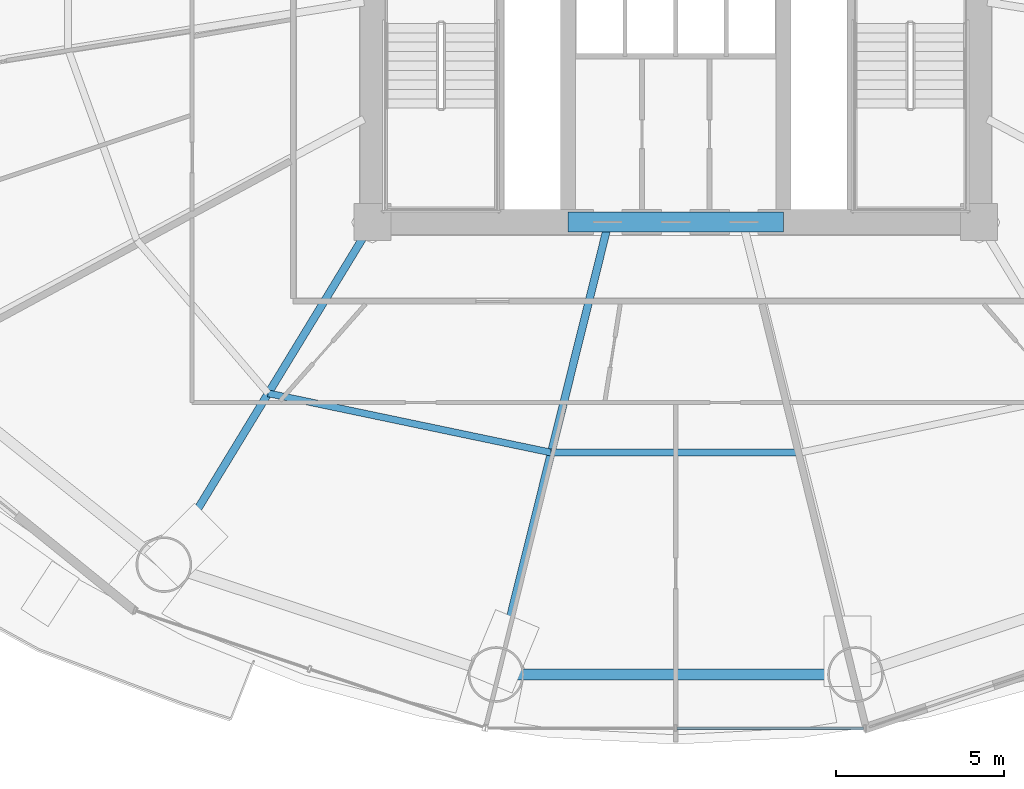
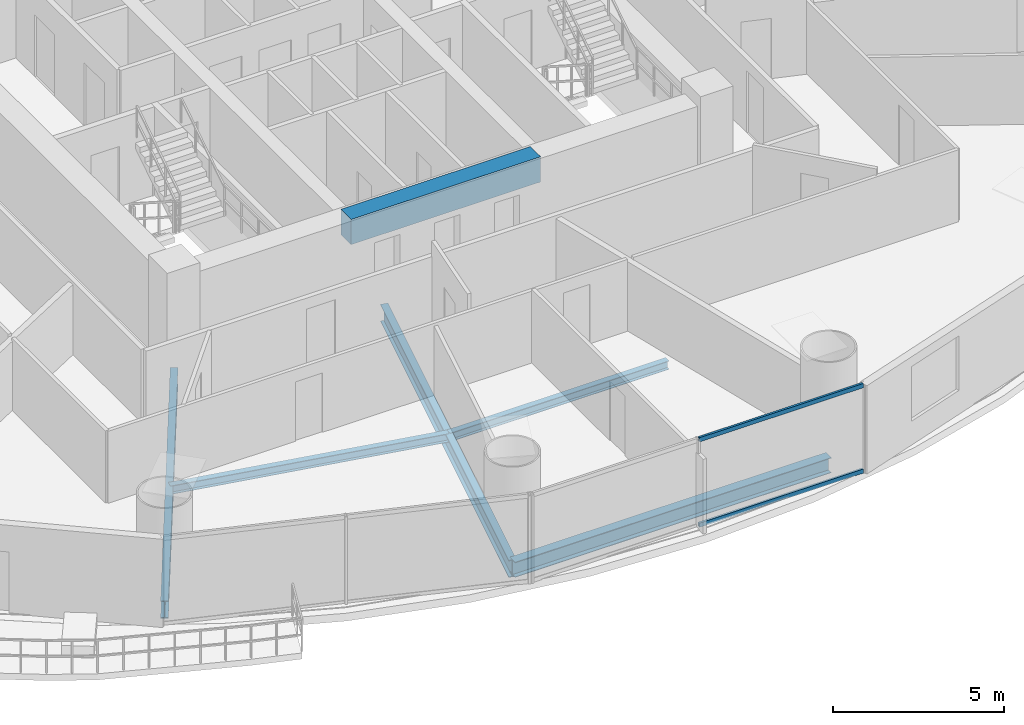
# One storey, part 5 of 29: 6 beams, 2 members, 1 element without a shape of its own.
"""IFC4 building model written with IfcOpenShell, lengths in metres."""

from ifc_helpers import new_model, si_unit, direction, frame, origin, origin_2d, place, context, subcontext, project, spatial, rectangle, hollow_rectangle, i_section, extrude, source, transform, mapped, material, material_profile, profile_set, type_object, element, aggregate, save


model = new_model("IFC4")

# Units and contexts
model_context = context("Model", 3, precision=1e-05, world=origin(), true_north=direction((-0.2419218956, 0.970295726276)))
body_context = subcontext(model_context, "Body", "Model", "MODEL_VIEW")
ifc_project = project(units=[si_unit("LENGTHUNIT", "METRE"), si_unit("AREAUNIT", "SQUARE_METRE"), si_unit("VOLUMEUNIT", "CUBIC_METRE"), si_unit("PLANEANGLEUNIT", "RADIAN"), si_unit("MASSUNIT", "GRAM", prefix="KILO")], contexts=[model_context])

# Site, building, storey
site_placement = place(None, origin())
site = spatial("IfcSite", under=ifc_project, at=site_placement, CompositionType="ELEMENT")
building_placement = place(site_placement, origin())
building = spatial("IfcBuilding", under=site, at=building_placement, Name="Cobrevalo Terracotta Tower", CompositionType="ELEMENT")
storey_placement = place(building_placement, frame((0.0, 0.0, 70.800048828125)))
storey = spatial("IfcBuildingStorey", under=building, at=storey_placement, Name="L18", CompositionType="ELEMENT", Elevation=70.800048828125)

# Beams
ifc_material_1 = material(Name="Concrete C60", Category="concrete")
ifc_material_profile_1 = material_profile(ifc_material_1, rectangle(XDim=0.60009765625, YDim=0.89990234375, at=origin_2d()), Name="RC CB 600x900")
ifc_profile_set_1 = profile_set([ifc_material_profile_1], Name="Concrete C60")
beam_type_1 = type_object("IfcBeamType", Name="Structural Beam RC CB 600x900 (Concrete C60)", PredefinedType="BEAM", material=ifc_profile_set_1)
beam_1_placement = place(storey_placement, frame((34.800048828125, 18.800048828125, 2.699951171875), z_axis=(1.0, 0.0, 0.0), x_axis=(0.0, 1.0, 0.0)))
element("IfcBeam", 1, at=beam_1_placement, inside=storey, type_object=beam_type_1, Name="L18 core coupling beam 1", PredefinedType="BEAM", context=body_context, shape_type="SweptSolid", body=[
    extrude(rectangle(XDim=0.60009765625, YDim=0.89990234375, at=origin_2d()), origin(), (0.0, 0.0, 1.0), 6.39990234375),
])
ifc_material_2 = material(Name="Steel S355", Category="steel")
ifc_material_profile_2 = material_profile(ifc_material_2, i_section(OverallWidth=0.22998046875, OverallDepth=0.616943359375, WebThickness=0.01318359375, FlangeThickness=0.022216796875, at=origin_2d()), Name="W 610x140")
ifc_profile_set_2 = profile_set([ifc_material_profile_2], Name="Steel S355")
beam_type_2 = type_object("IfcBeamType", Name="Structural Beam W 610x140 (Steel S355)", PredefinedType="BEAM", material=ifc_profile_set_2)
beam_2_placement = place(storey_placement, frame((22.80517578125, 8.63232421875, -0.588623046875), z_axis=(0.520300780853, 0.853983077961, 0.0), x_axis=(-0.853983077961, 0.520300780853, 0.0)))
element("IfcBeam", 2, at=beam_2_placement, inside=storey, type_object=beam_type_2, Name="L18 radial floor girder 11", PredefinedType="BEAM", context=body_context, shape_type="SweptSolid", body=[
    extrude(i_section(OverallWidth=0.22998046875, OverallDepth=0.616943359375, WebThickness=0.01318359375, FlangeThickness=0.022216796875, at=origin_2d()), origin(), (0.0, 0.0, 1.0), 11.90625),
])
beam_3_placement = place(storey_placement, frame((32.664306640625, 5.369873046875, -0.588623046875), z_axis=(0.241600470374, 0.970375810042, 0.0), x_axis=(-0.970375810042, 0.241600470374, 0.0)))
element("IfcBeam", 3, at=beam_3_placement, inside=storey, type_object=beam_type_2, Name="L18 radial floor girder 12", PredefinedType="BEAM", context=body_context, shape_type="SweptSolid", body=[
    extrude(i_section(OverallWidth=0.22998046875, OverallDepth=0.616943359375, WebThickness=0.01318359375, FlangeThickness=0.022216796875, at=origin_2d()), origin(), (0.0, 0.0, 1.0), 13.5771484375),
])
ifc_material_profile_3 = material_profile(ifc_material_2, i_section(OverallWidth=0.2041015625, OverallDepth=0.305908203125, WebThickness=0.008544921875, FlangeThickness=0.0146484375, at=origin_2d()), Name="W 310x67")
ifc_profile_set_3 = profile_set([ifc_material_profile_3], Name="Steel S355")
beam_type_3 = type_object("IfcBeamType", Name="Structural Joist W 310x67 (Steel S355)", PredefinedType="JOIST", material=ifc_profile_set_3)
beam_4_placement = place(storey_placement, frame((25.902587890625, 13.71630859375, -0.43310546875), z_axis=(0.978784523904, -0.204892302848, 0.0), x_axis=(0.204892302848, 0.978784523904, 0.0)))
element("IfcBeam", 4, at=beam_4_placement, inside=storey, type_object=beam_type_3, Name="L18 circumferential secondary floor joist 11", PredefinedType="JOIST", context=body_context, shape_type="SweptSolid", body=[
    extrude(i_section(OverallWidth=0.2041015625, OverallDepth=0.305908203125, WebThickness=0.008544921875, FlangeThickness=0.0146484375, at=origin_2d()), origin(), (0.0, 0.0, 1.0), 8.583984375),
])
beam_5_placement = place(storey_placement, frame((34.304443359375, 11.95751953125, -0.43310546875), z_axis=(1.0, 0.0, 0.0), x_axis=(0.0, 1.0, 0.0)))
element("IfcBeam", 5, at=beam_5_placement, inside=storey, type_object=beam_type_3, Name="L18 circumferential secondary floor joist 12", PredefinedType="JOIST", context=body_context, shape_type="SweptSolid", body=[
    extrude(i_section(OverallWidth=0.2041015625, OverallDepth=0.305908203125, WebThickness=0.008544921875, FlangeThickness=0.0146484375, at=origin_2d()), origin(), (0.0, 0.0, 1.0), 7.39111328125),
])
ifc_material_profile_4 = material_profile(ifc_material_2, i_section(OverallWidth=0.31201171875, OverallDepth=0.54296875, WebThickness=0.0126953125, FlangeThickness=0.020263671875, at=origin_2d()), Name="W 530x150")
ifc_profile_set_4 = profile_set([ifc_material_profile_4], Name="Steel S355")
beam_type_4 = type_object("IfcBeamType", Name="Structural Spandrel W 530x150 (Steel S355)", PredefinedType="SPANDREL", material=ifc_profile_set_4)
beam_6_placement = place(storey_placement, frame((32.664306640625, 5.369873046875, -0.551513671875), z_axis=(1.0, 0.0, 0.0), x_axis=(0.0, 1.0, 0.0)))
element("IfcBeam", 6, at=beam_6_placement, inside=storey, type_object=beam_type_4, Name="L18 perimeter ring spandrel 12", PredefinedType="SPANDREL", context=body_context, shape_type="SweptSolid", body=[
    extrude(i_section(OverallWidth=0.31201171875, OverallDepth=0.54296875, WebThickness=0.0126953125, FlangeThickness=0.020263671875, at=origin_2d()), origin(), (0.0, 0.0, 1.0), 10.67138671875),
])

# Curtain wall, members
ifc_material_3 = material(Name="Anodized aluminium", Category="aluminium")
curtain_wall_type = type_object("IfcCurtainWallType", Name="Lower-tower unitised acoustic low-E curtain wall CW-U1", PredefinedType="NOTDEFINED", material=ifc_material_3)
curtain_wall_placement = place(storey_placement, origin())
curtain_wall = element("IfcCurtainWall", 7, at=curtain_wall_placement, inside=storey, type_object=curtain_wall_type, Name="L18 curtain wall CW-L18-S12", PredefinedType="NOTDEFINED")
ifc_material_profile_5 = material_profile(ifc_material_3, hollow_rectangle(XDim=0.074951171875, YDim=0.14990234375, WallThickness=0.00439453125, at=origin_2d()), Name="CWT 75x150")
ifc_profile_set_5 = profile_set([ifc_material_profile_5], Name="Anodized aluminium")
member_type = type_object("IfcMemberType", Name="Tower unitised aluminium transom 75x150", PredefinedType="USERDEFINED", material=ifc_profile_set_5)
shared_shape = source(origin(), body_context, "Body", "SweptSolid", [
    extrude(hollow_rectangle(XDim=0.074951171875, YDim=0.14990234375, WallThickness=0.00439453125, at=origin_2d()), origin(), (0.0, 0.0, 1.0), 5.53173828125),
])
member_1_placement = place(storey_placement, frame((38.0400390625, 3.781005859375, 0.050048828125), z_axis=(1.0, 0.0, 0.0), x_axis=(0.0, 1.0, 0.0)))
member_1 = element("IfcMember", 8, at=member_1_placement, type_object=member_type, Name="CW-L18-S12 transom B02-T1", ObjectType="TRANSOM", PredefinedType="USERDEFINED", context=body_context, shape_type="MappedRepresentation", body=[
    mapped(shared_shape, transform((0.0, 0.0, 0.0), scale=1.0)),
])
member_2_placement = place(storey_placement, frame((38.0400390625, 3.781005859375, 3.099853515625), z_axis=(1.0, 0.0, 0.0), x_axis=(0.0, 1.0, 0.0)))
member_2 = element("IfcMember", 9, at=member_2_placement, type_object=member_type, Name="CW-L18-S12 transom B02-T2", ObjectType="TRANSOM", PredefinedType="USERDEFINED", context=body_context, shape_type="MappedRepresentation", body=[
    mapped(shared_shape, transform((0.0, 0.0, 0.0), scale=1.0)),
])
aggregate(curtain_wall, [member_1, member_2])

save(model, "model.ifc")
